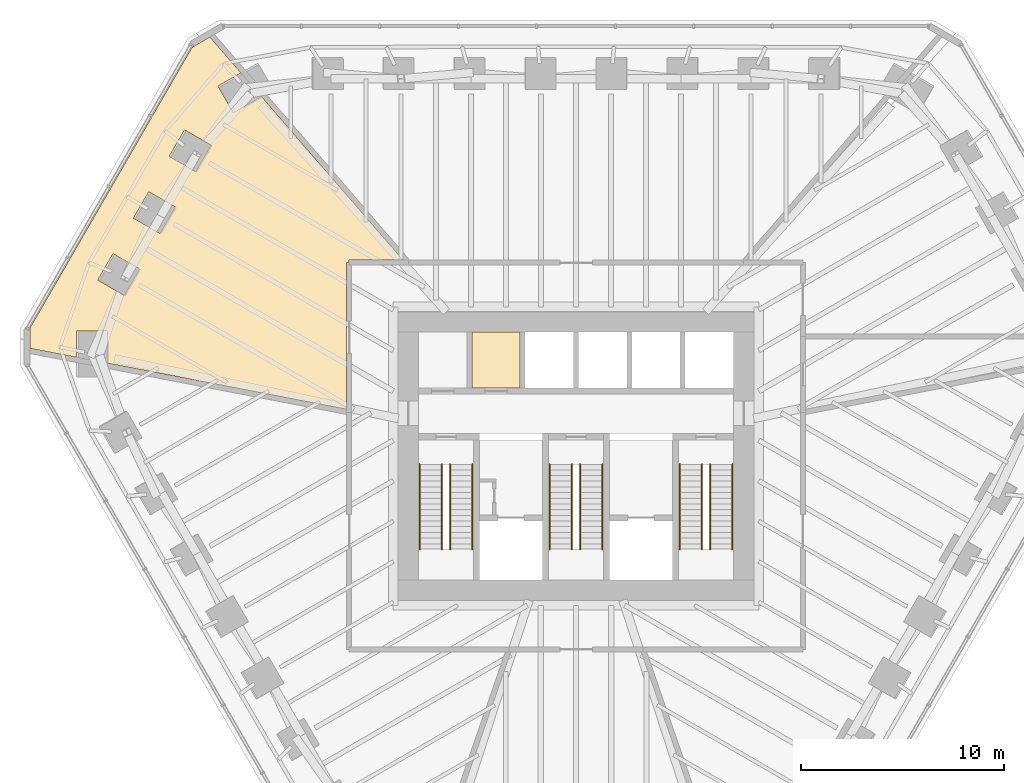
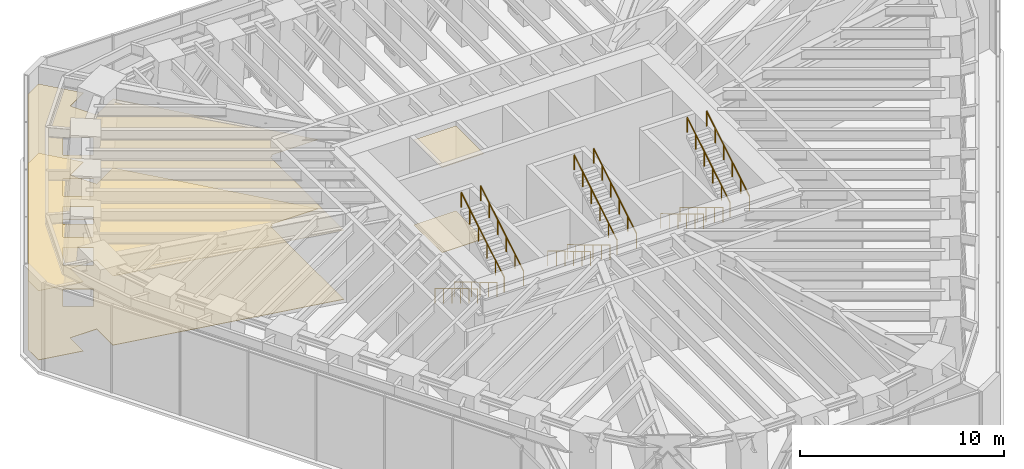
# One storey, part 13 of 13: 12 railings, 4 coverings.
"""IFC4 building model written with IfcOpenShell, lengths in metres."""

from ifc_helpers import new_model, si_unit, direction, frame, origin, origin_2d, place, context, subcontext, project, spatial, polyline, circle, outline, extrude, material, layer, layer_set, type_object, element, save


model = new_model("IFC4")

# Units and contexts
model_context = context("Model", 3, precision=1e-05, world=origin(), true_north=direction((0.0, 1.0)))
body_context = subcontext(model_context, "Body", "Model", "MODEL_VIEW")
ifc_project = project(units=[si_unit("LENGTHUNIT", "METRE"), si_unit("AREAUNIT", "SQUARE_METRE"), si_unit("VOLUMEUNIT", "CUBIC_METRE"), si_unit("PLANEANGLEUNIT", "RADIAN"), si_unit("MASSUNIT", "GRAM", prefix="KILO")], contexts=[model_context])

# Site, building, storey
site_placement = place(None, origin())
site = spatial("IfcSite", under=ifc_project, at=site_placement, CompositionType="ELEMENT")
building_placement = place(site_placement, origin())
building = spatial("IfcBuilding", under=site, at=building_placement, Name="Sandreach Pilgrim Tower", CompositionType="ELEMENT")
storey_placement = place(building_placement, frame((0.0, 0.0, 251.60009765625)))
storey = spatial("IfcBuildingStorey", under=building, at=storey_placement, Name="L63", CompositionType="ELEMENT", Elevation=251.60009765625)

# Coverings
ifc_material_1 = material(Name="Acoustic mineral fibre tile ceiling on a suspension grid", Category="mineral")
ifc_layer_1 = layer(ifc_material_1, 0.02001953125)
ifc_layer_set_1 = layer_set([ifc_layer_1], Name="Acoustic mineral tile ceiling")
covering_type_1 = type_object("IfcCoveringType", Name="Acoustic mineral tile ceiling", PredefinedType="CEILING", material=ifc_layer_set_1)
covering_1_placement = place(storey_placement, frame((0.0, 0.0, 4.14990234375)))
element("IfcCovering", 1, at=covering_1_placement, inside=storey, type_object=covering_type_1, Name="Ceiling 6306 Refuge area", PredefinedType="CEILING", context=body_context, shape_type="SweptSolid", body=[
    extrude(outline(polyline([(-26.8701171875, 6.309814453125), (-18.899658203125, 20.115234375), (-18.018310546875, 20.6240234375), (-16.490234375, 18.85888671875), (-17.61962890625, 18.206787109375), (-16.86962890625, 16.90771484375), (-15.490478515625, 17.7041015625), (-8.513671875, 9.64501953125), (-11.169921875, 9.64501953125), (-11.169921875, 9.52001953125), (-11.294921875, 9.52001953125), (-11.294921875, 2.30126953125), (-23.077392578125, 4.56884765625), (-23.077392578125, 6.15576171875), (-24.577392578125, 6.15576171875), (-24.577392578125, 4.857666015625), (-26.8701171875, 5.298828125), (-26.8701171875, 6.309814453125)]), holes=[polyline([(-17.968505859375, 15.3037109375), (-19.267578125, 16.0537109375), (-20.017578125, 14.754638671875), (-18.718505859375, 14.004638671875), (-17.968505859375, 15.3037109375)]), polyline([(-19.728515625, 12.25634765625), (-21.027587890625, 13.00634765625), (-21.777587890625, 11.707275390625), (-20.478515625, 10.957275390625), (-19.728515625, 12.25634765625)]), polyline([(-22.237548828125, 7.9091796875), (-21.487548828125, 9.208251953125), (-22.78662109375, 9.958251953125), (-23.53662109375, 8.6591796875), (-22.237548828125, 7.9091796875)])]), origin(), (0.0, 0.0, 1.0), 0.02001953125),
])
covering_2_placement = place(storey_placement, frame((0.0, 0.0, 5.099853515625)))
element("IfcCovering", 2, at=covering_2_placement, inside=storey, type_object=covering_type_1, Name="Ceiling 63K2 Refuge equipment store", PredefinedType="CEILING", context=body_context, shape_type="SweptSolid", body=[
    extrude(outline(polyline([(-5.125, 6.10009765625), (-2.75, 6.10009765625), (-2.75, 3.35009765625), (-5.125, 3.35009765625), (-5.125, 6.10009765625)])), origin(), (0.0, 0.0, 1.0), 0.02001953125),
])

# Railings
ifc_material_2 = material(Name="Stainless steel tube", Category="steel")
railing_type = type_object("IfcRailingType", Name="Stair handrail", PredefinedType="HANDRAIL", material=ifc_material_2)
for number, where, name in (
    (3, (-6.60009765625, -0.39990234375, 0.168701171875), "Handrail ST1 L63 flight 1"),
    (4, (-7.699951171875, -0.39990234375, 0.168701171875), "Handrail ST1 L63 flight 1"),
):
    element("IfcRailing", number, at=place(storey_placement, frame(where)), inside=storey, type_object=railing_type, Name=name, PredefinedType="HANDRAIL", context=body_context, shape_type="SweptSolid", body=[
        extrude(circle(Radius=0.02392578125, at=origin_2d()), frame((0.0, 0.0, 0.8759765625), z_axis=(0.0, -0.856489757249, 0.516164020179), x_axis=(1.0, 0.0, 0.0)), (0.0, 0.0, 1.0), 4.904052734375),
        extrude(circle(Radius=0.02099609375, at=origin_2d()), origin(), (0.0, 0.0, 1.0), 0.851806640625),
        extrude(circle(Radius=0.02099609375, at=origin_2d()), frame((0.0, -0.840087890625, 0.50634765625)), (0.0, 0.0, 1.0), 0.851806640625),
        extrude(circle(Radius=0.02099609375, at=origin_2d()), frame((0.0, -1.68017578125, 1.012451171875)), (0.0, 0.0, 1.0), 0.851806640625),
        extrude(circle(Radius=0.02099609375, at=origin_2d()), frame((0.0, -2.52001953125, 1.518798828125)), (0.0, 0.0, 1.0), 0.851806640625),
        extrude(circle(Radius=0.02099609375, at=origin_2d()), frame((0.0, -3.360107421875, 2.02490234375)), (0.0, 0.0, 1.0), 0.851806640625),
        extrude(circle(Radius=0.02099609375, at=origin_2d()), frame((0.0, -4.2001953125, 2.53125)), (0.0, 0.0, 1.0), 0.851806640625),
    ])
for number, where, name in (
    (5, (-6.199951171875, -4.60009765625, 2.86865234375), "Handrail ST1 L63 flight 2"),
    (6, (-5.10009765625, -4.60009765625, 2.86865234375), "Handrail ST1 L63 flight 2"),
):
    element("IfcRailing", number, at=place(storey_placement, frame(where)), inside=storey, type_object=railing_type, Name=name, PredefinedType="HANDRAIL", context=body_context, shape_type="SweptSolid", body=[
        extrude(circle(Radius=0.02392578125, at=origin_2d()), frame((0.0, 0.0, 0.8759765625), z_axis=(0.0, 0.856489757249, 0.516164020179), x_axis=(-1.0, 0.0, 0.0)), (0.0, 0.0, 1.0), 4.904052734375),
        extrude(circle(Radius=0.02099609375, at=origin_2d()), origin(), (0.0, 0.0, 1.0), 0.851806640625),
        extrude(circle(Radius=0.02099609375, at=origin_2d()), frame((0.0, 0.840087890625, 0.50634765625)), (0.0, 0.0, 1.0), 0.851806640625),
        extrude(circle(Radius=0.02099609375, at=origin_2d()), frame((0.0, 1.68017578125, 1.012451171875)), (0.0, 0.0, 1.0), 0.851806640625),
        extrude(circle(Radius=0.02099609375, at=origin_2d()), frame((0.0, 2.52001953125, 1.518798828125)), (0.0, 0.0, 1.0), 0.851806640625),
        extrude(circle(Radius=0.02099609375, at=origin_2d()), frame((0.0, 3.360107421875, 2.02490234375)), (0.0, 0.0, 1.0), 0.851806640625),
        extrude(circle(Radius=0.02099609375, at=origin_2d()), frame((0.0, 4.2001953125, 2.53125)), (0.0, 0.0, 1.0), 0.851806640625),
    ])
for number, where, name in (
    (7, (-0.199951171875, -0.39990234375, 0.168701171875), "Handrail ST3 L63 flight 1"),
    (8, (-1.300048828125, -0.39990234375, 0.168701171875), "Handrail ST3 L63 flight 1"),
):
    element("IfcRailing", number, at=place(storey_placement, frame(where)), inside=storey, type_object=railing_type, Name=name, PredefinedType="HANDRAIL", context=body_context, shape_type="SweptSolid", body=[
        extrude(circle(Radius=0.02392578125, at=origin_2d()), frame((0.0, 0.0, 0.8759765625), z_axis=(0.0, -0.856489757249, 0.516164020179), x_axis=(1.0, 0.0, 0.0)), (0.0, 0.0, 1.0), 4.904052734375),
        extrude(circle(Radius=0.02099609375, at=origin_2d()), origin(), (0.0, 0.0, 1.0), 0.851806640625),
        extrude(circle(Radius=0.02099609375, at=origin_2d()), frame((0.0, -0.840087890625, 0.50634765625)), (0.0, 0.0, 1.0), 0.851806640625),
        extrude(circle(Radius=0.02099609375, at=origin_2d()), frame((0.0, -1.68017578125, 1.012451171875)), (0.0, 0.0, 1.0), 0.851806640625),
        extrude(circle(Radius=0.02099609375, at=origin_2d()), frame((0.0, -2.52001953125, 1.518798828125)), (0.0, 0.0, 1.0), 0.851806640625),
        extrude(circle(Radius=0.02099609375, at=origin_2d()), frame((0.0, -3.360107421875, 2.02490234375)), (0.0, 0.0, 1.0), 0.851806640625),
        extrude(circle(Radius=0.02099609375, at=origin_2d()), frame((0.0, -4.2001953125, 2.53125)), (0.0, 0.0, 1.0), 0.851806640625),
    ])
for number, where, name in (
    (9, (0.199951171875, -4.60009765625, 2.86865234375), "Handrail ST3 L63 flight 2"),
    (10, (1.300048828125, -4.60009765625, 2.86865234375), "Handrail ST3 L63 flight 2"),
):
    element("IfcRailing", number, at=place(storey_placement, frame(where)), inside=storey, type_object=railing_type, Name=name, PredefinedType="HANDRAIL", context=body_context, shape_type="SweptSolid", body=[
        extrude(circle(Radius=0.02392578125, at=origin_2d()), frame((0.0, 0.0, 0.8759765625), z_axis=(0.0, 0.856489757249, 0.516164020179), x_axis=(-1.0, 0.0, 0.0)), (0.0, 0.0, 1.0), 4.904052734375),
        extrude(circle(Radius=0.02099609375, at=origin_2d()), origin(), (0.0, 0.0, 1.0), 0.851806640625),
        extrude(circle(Radius=0.02099609375, at=origin_2d()), frame((0.0, 0.840087890625, 0.50634765625)), (0.0, 0.0, 1.0), 0.851806640625),
        extrude(circle(Radius=0.02099609375, at=origin_2d()), frame((0.0, 1.68017578125, 1.012451171875)), (0.0, 0.0, 1.0), 0.851806640625),
        extrude(circle(Radius=0.02099609375, at=origin_2d()), frame((0.0, 2.52001953125, 1.518798828125)), (0.0, 0.0, 1.0), 0.851806640625),
        extrude(circle(Radius=0.02099609375, at=origin_2d()), frame((0.0, 3.360107421875, 2.02490234375)), (0.0, 0.0, 1.0), 0.851806640625),
        extrude(circle(Radius=0.02099609375, at=origin_2d()), frame((0.0, 4.2001953125, 2.53125)), (0.0, 0.0, 1.0), 0.851806640625),
    ])
for number, where, name in (
    (11, (6.199951171875, -0.39990234375, 0.168701171875), "Handrail ST2 L63 flight 1"),
    (12, (5.10009765625, -0.39990234375, 0.168701171875), "Handrail ST2 L63 flight 1"),
):
    element("IfcRailing", number, at=place(storey_placement, frame(where)), inside=storey, type_object=railing_type, Name=name, PredefinedType="HANDRAIL", context=body_context, shape_type="SweptSolid", body=[
        extrude(circle(Radius=0.02392578125, at=origin_2d()), frame((0.0, 0.0, 0.8759765625), z_axis=(0.0, -0.856489757249, 0.516164020179), x_axis=(1.0, 0.0, 0.0)), (0.0, 0.0, 1.0), 4.904052734375),
        extrude(circle(Radius=0.02099609375, at=origin_2d()), origin(), (0.0, 0.0, 1.0), 0.851806640625),
        extrude(circle(Radius=0.02099609375, at=origin_2d()), frame((0.0, -0.840087890625, 0.50634765625)), (0.0, 0.0, 1.0), 0.851806640625),
        extrude(circle(Radius=0.02099609375, at=origin_2d()), frame((0.0, -1.68017578125, 1.012451171875)), (0.0, 0.0, 1.0), 0.851806640625),
        extrude(circle(Radius=0.02099609375, at=origin_2d()), frame((0.0, -2.52001953125, 1.518798828125)), (0.0, 0.0, 1.0), 0.851806640625),
        extrude(circle(Radius=0.02099609375, at=origin_2d()), frame((0.0, -3.360107421875, 2.02490234375)), (0.0, 0.0, 1.0), 0.851806640625),
        extrude(circle(Radius=0.02099609375, at=origin_2d()), frame((0.0, -4.2001953125, 2.53125)), (0.0, 0.0, 1.0), 0.851806640625),
    ])
for number, where, name in (
    (13, (6.60009765625, -4.60009765625, 2.86865234375), "Handrail ST2 L63 flight 2"),
    (14, (7.699951171875, -4.60009765625, 2.86865234375), "Handrail ST2 L63 flight 2"),
):
    element("IfcRailing", number, at=place(storey_placement, frame(where)), inside=storey, type_object=railing_type, Name=name, PredefinedType="HANDRAIL", context=body_context, shape_type="SweptSolid", body=[
        extrude(circle(Radius=0.02392578125, at=origin_2d()), frame((0.0, 0.0, 0.8759765625), z_axis=(0.0, 0.856489757249, 0.516164020179), x_axis=(-1.0, 0.0, 0.0)), (0.0, 0.0, 1.0), 4.904052734375),
        extrude(circle(Radius=0.02099609375, at=origin_2d()), origin(), (0.0, 0.0, 1.0), 0.851806640625),
        extrude(circle(Radius=0.02099609375, at=origin_2d()), frame((0.0, 0.840087890625, 0.50634765625)), (0.0, 0.0, 1.0), 0.851806640625),
        extrude(circle(Radius=0.02099609375, at=origin_2d()), frame((0.0, 1.68017578125, 1.012451171875)), (0.0, 0.0, 1.0), 0.851806640625),
        extrude(circle(Radius=0.02099609375, at=origin_2d()), frame((0.0, 2.52001953125, 1.518798828125)), (0.0, 0.0, 1.0), 0.851806640625),
        extrude(circle(Radius=0.02099609375, at=origin_2d()), frame((0.0, 3.360107421875, 2.02490234375)), (0.0, 0.0, 1.0), 0.851806640625),
        extrude(circle(Radius=0.02099609375, at=origin_2d()), frame((0.0, 4.2001953125, 2.53125)), (0.0, 0.0, 1.0), 0.851806640625),
    ])

# Coverings
ifc_material_3 = material(Name="Cement terrazzo, ground and polished", Category="terrazzo")
ifc_layer_2 = layer(ifc_material_3, 0.02490234375)
ifc_layer_set_2 = layer_set([ifc_layer_2], Name="Terrazzo")
covering_type_2 = type_object("IfcCoveringType", Name="Terrazzo", PredefinedType="FLOORING", material=ifc_layer_set_2)
covering_3_placement = place(storey_placement, origin())
element("IfcCovering", 15, at=covering_3_placement, inside=storey, type_object=covering_type_2, Name="Floor finish 6306 Refuge area", PredefinedType="FLOORING", context=body_context, shape_type="SweptSolid", body=[
    extrude(outline(polyline([(-26.8701171875, 6.309814453125), (-18.899658203125, 20.115234375), (-18.018310546875, 20.6240234375), (-16.490234375, 18.85888671875), (-17.61962890625, 18.206787109375), (-16.86962890625, 16.90771484375), (-15.490478515625, 17.7041015625), (-8.513671875, 9.64501953125), (-11.169921875, 9.64501953125), (-11.169921875, 9.52001953125), (-11.294921875, 9.52001953125), (-11.294921875, 2.30126953125), (-23.077392578125, 4.56884765625), (-23.077392578125, 6.15576171875), (-24.577392578125, 6.15576171875), (-24.577392578125, 4.857666015625), (-26.8701171875, 5.298828125), (-26.8701171875, 6.309814453125)]), holes=[polyline([(-17.968505859375, 15.3037109375), (-19.267578125, 16.0537109375), (-20.017578125, 14.754638671875), (-18.718505859375, 14.004638671875), (-17.968505859375, 15.3037109375)]), polyline([(-19.728515625, 12.25634765625), (-21.027587890625, 13.00634765625), (-21.777587890625, 11.707275390625), (-20.478515625, 10.957275390625), (-19.728515625, 12.25634765625)]), polyline([(-22.237548828125, 7.9091796875), (-21.487548828125, 9.208251953125), (-22.78662109375, 9.958251953125), (-23.53662109375, 8.6591796875), (-22.237548828125, 7.9091796875)])]), origin(), (0.0, 0.0, 1.0), 0.02490234375),
])
covering_4_placement = place(storey_placement, origin())
element("IfcCovering", 16, at=covering_4_placement, inside=storey, type_object=covering_type_2, Name="Floor finish 63K2 Refuge equipment store", PredefinedType="FLOORING", context=body_context, shape_type="SweptSolid", body=[
    extrude(outline(polyline([(-5.125, 6.10009765625), (-2.75, 6.10009765625), (-2.75, 3.35009765625), (-5.125, 3.35009765625), (-5.125, 6.10009765625)])), origin(), (0.0, 0.0, 1.0), 0.02490234375),
])

save(model, "model.ifc")
